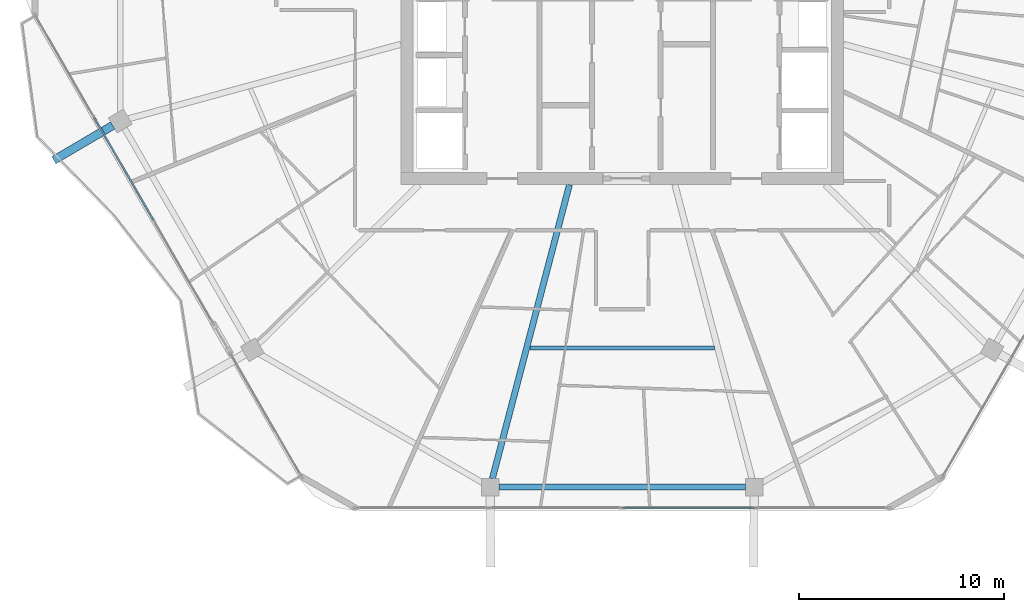
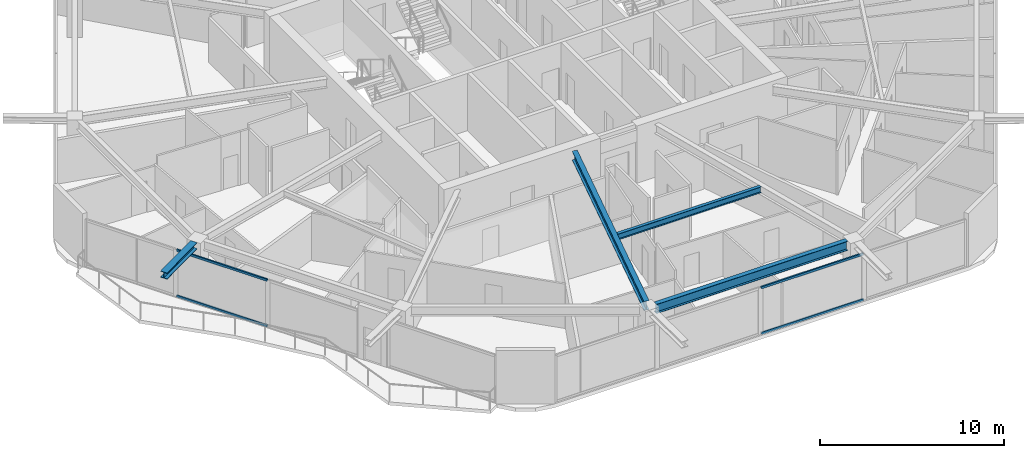
# One storey, part 4 of 26: 4 beams, 4 members, 2 elements without a shape of their own.
"""IFC4 building model written with IfcOpenShell, lengths in metres."""

import ifcopenshell
import ifcopenshell.guid

model = None  # the IFC model being written
_history = None  # IfcOwnerHistory: only IFC2X3 demands one
_inside = {}  # id of a spatial element -> (the spatial element, [elements in it])
_under = {}  # id of a project, library or spatial element -> (it, [spatial elements below it])
_declared = {}  # id of a project -> (the project, [libraries it declares])
_typed = {}  # id of a type object -> (the type object, [elements of that type])
_made_of = {}  # id of a material, layer set ... -> (it, [elements and type objects made of it])


def new_model(schema):
    """Start an empty IFC model of exactly this schema.

    Asked for "IFC4X3", IfcOpenShell would pick the latest addendum, in which some entities
    have other attributes; the version numbers below select the first issue.
    IFC2X3 requires an IfcOwnerHistory on every rooted entity: one is made here for all.
    """
    global model, _history
    if schema == "IFC4X3":
        model = ifcopenshell.file(schema_version=(4, 3, 0, 0))
    else:
        model = ifcopenshell.file(schema=schema)
    _inside.clear()
    _under.clear()
    _declared.clear()
    _typed.clear()
    _made_of.clear()
    _history = None
    if model.schema == "IFC2X3":
        org = make("IfcOrganization", Name="unknown")
        user = make(
            "IfcPersonAndOrganization",
            ThePerson=make("IfcPerson", FamilyName="unknown"),
            TheOrganization=org,
        )
        app = make(
            "IfcApplication",
            ApplicationDeveloper=org,
            Version="unknown",
            ApplicationFullName="unknown",
            ApplicationIdentifier="unknown",
        )
        _history = make(
            "IfcOwnerHistory",
            OwningUser=user,
            OwningApplication=app,
            ChangeAction="ADDED",
            CreationDate=0,
        )
    return model


def make(cls, **values):
    """One entity of the class cls with the attributes given. An attribute that is None is left unset."""
    return model.create_entity(
        cls, **{name: value for name, value in values.items() if value is not None}
    )


def rooted(cls, **values):
    """An entity with a GlobalId (a new one), such as an element, a storey or a relation."""
    return make(cls, GlobalId=ifcopenshell.guid.new(), OwnerHistory=_history, **values)


def si_unit(unit_type, name, prefix=None):
    """IfcSIUnit, for example si_unit("LENGTHUNIT", "METRE", prefix="MILLI")."""
    return make("IfcSIUnit", UnitType=unit_type, Prefix=prefix, Name=name)


def assignment(units):
    """IfcUnitAssignment: the units of a project."""
    return None if units is None else make("IfcUnitAssignment", Units=units)


def point(xyz):
    """IfcCartesianPoint."""
    return None if xyz is None else make("IfcCartesianPoint", Coordinates=xyz)


def direction(xyz):
    """IfcDirection."""
    return None if xyz is None else make("IfcDirection", DirectionRatios=xyz)


def frame(location, z_axis=None, x_axis=None):
    """IfcAxis2Placement3D, a coordinate frame: its origin and axes. An axis left out is left unset."""
    return make(
        "IfcAxis2Placement3D",
        Location=point(location),
        Axis=direction(z_axis),
        RefDirection=direction(x_axis),
    )


def frame_2d(location, x_axis=None):
    """IfcAxis2Placement2D, a coordinate frame in the plane: its origin and x axis."""
    return make(
        "IfcAxis2Placement2D", Location=point(location), RefDirection=direction(x_axis)
    )


def origin():
    """The frame at (0, 0, 0) with its axes left unset."""
    return frame((0.0, 0.0, 0.0))


def origin_2d():
    """The frame at (0, 0) in the plane with its x axis left unset."""
    return frame_2d((0.0, 0.0))


def place(relative_to, where):
    """IfcLocalPlacement: puts the frame where relative to a parent placement (None: the world)."""
    return make(
        "IfcLocalPlacement", PlacementRelTo=relative_to, RelativePlacement=where
    )


def context(
    kind, dimensions, precision=None, world=None, true_north=None, identifier=None
):
    """IfcGeometricRepresentationContext, for example the 3D "Model" context."""
    return make(
        "IfcGeometricRepresentationContext",
        ContextIdentifier=identifier,
        ContextType=kind,
        CoordinateSpaceDimension=dimensions,
        Precision=precision,
        WorldCoordinateSystem=world,
        TrueNorth=true_north,
    )


def subcontext(parent, identifier, kind, view, scale=None):
    """IfcGeometricRepresentationSubContext, for example "Body" below "Model"."""
    return make(
        "IfcGeometricRepresentationSubContext",
        ContextIdentifier=identifier,
        ContextType=kind,
        ParentContext=parent,
        TargetScale=scale,
        TargetView=view,
    )


def project(units=None, contexts=None):
    """IfcProject with its units and contexts."""
    return rooted(
        "IfcProject",
        Name="project",
        RepresentationContexts=contexts,
        UnitsInContext=assignment(units),
    )


def spatial(cls, under=None, at=None, **own):
    """A site, building, storey or space (cls), placed at a placement, below another one or the project."""
    s = rooted(cls, ObjectPlacement=at, **own)
    if under is not None:
        _under.setdefault(under.id(), (under, []))[1].append(s)
    return s


def profile(cls, at=None, kind="AREA", **sizes):
    """A parametric profile (cls). Its sizes go by their IFC names, for example OverallWidth=200.0."""
    return make(cls, ProfileType=kind, Position=at, **sizes)


def hollow_rectangle(**sizes):
    """IfcRectangleHollowProfileDef."""
    return profile("IfcRectangleHollowProfileDef", **sizes)


def i_section(**sizes):
    """IfcIShapeProfileDef."""
    return profile("IfcIShapeProfileDef", **sizes)


def extrude(swept, where, along, depth):
    """IfcExtrudedAreaSolid: the profile swept, set in the frame where, extruded along a direction by depth."""
    return make(
        "IfcExtrudedAreaSolid",
        SweptArea=swept,
        Position=where,
        ExtrudedDirection=direction(along),
        Depth=depth,
    )


def shape(context_of_items, identifier, shape_type, items):
    """IfcShapeRepresentation: the items that make up one representation, for example the "Body"."""
    return make(
        "IfcShapeRepresentation",
        ContextOfItems=context_of_items,
        RepresentationIdentifier=identifier,
        RepresentationType=shape_type,
        Items=items,
    )


def material(Name=None, Category=None):
    """IfcMaterial."""
    return make("IfcMaterial", Name=Name, Category=Category)


def material_profile(
    of_material, cross_section, Name=None, Category=None, Priority=None
):
    """IfcMaterialProfile: a cross section and its material."""
    return make(
        "IfcMaterialProfile",
        Name=Name,
        Material=of_material,
        Profile=cross_section,
        Priority=Priority,
        Category=Category,
    )


def profile_set(profiles, Name=None, composite=None):
    """IfcMaterialProfileSet."""
    return make(
        "IfcMaterialProfileSet",
        Name=Name,
        MaterialProfiles=profiles,
        CompositeProfile=composite,
    )


def made_of(thing, what):
    """Note that an element or type object is made of a material, layer set ...; save() writes the relation."""
    if what is not None:
        _made_of.setdefault(what.id(), (what, []))[1].append(thing)
    return thing


def type_object(cls, material=None, **own):
    """A type object (cls), such as IfcWallType, which elements share."""
    return made_of(rooted(cls, **own), material)


def element(
    cls,
    number,
    at=None,
    inside=None,
    cuts=None,
    type_object=None,
    material=None,
    context=None,
    identifier="Body",
    shape_type=None,
    held_by="IfcProductDefinitionShape",
    body=None,
    shapes=None,
    **own,
):
    """One element of the class cls, such as IfcWall. Its Tag is "e" and its number.

    at: its placement. inside: the storey or other place that contains it. cuts: it is an
    opening in that element (IfcRelVoidsElement). A single representation is given by context,
    identifier, shape_type and body (its items); several are given by shapes. held_by: the class
    of the entity that holds the representations. save() writes the other relations.
    """
    e = rooted(cls, Tag="e%d" % number, ObjectPlacement=at, **own)
    if body is not None:
        shapes = [shape(context, identifier, shape_type, body)]
    if shapes is not None:
        e.Representation = make(held_by, Representations=shapes)
    if inside is not None:
        _inside.setdefault(inside.id(), (inside, []))[1].append(e)
    if cuts is not None:
        rooted(
            "IfcRelVoidsElement", RelatingBuildingElement=cuts, RelatedOpeningElement=e
        )
    if type_object is not None:
        _typed.setdefault(type_object.id(), (type_object, []))[1].append(e)
    return made_of(e, material)


def aggregate(whole, parts):
    """IfcRelAggregates: a whole, such as a stair, and the parts it consists of."""
    return rooted("IfcRelAggregates", RelatingObject=whole, RelatedObjects=parts)


def save(model, path):
    """Write the relations noted so far, then the file.

    IfcRelAggregates (storeys below a building ...), IfcRelContainedInSpatialStructure (elements
    in a storey), IfcRelDefinesByType, IfcRelAssociatesMaterial and IfcRelDeclares: one each for
    every whole, place, type object, material and project.
    """
    for whole, parts in _under.values():
        aggregate(whole, parts)
    for where, things in _inside.values():
        rooted(
            "IfcRelContainedInSpatialStructure",
            RelatedElements=things,
            RelatingStructure=where,
        )
    for kind, things in _typed.values():
        rooted("IfcRelDefinesByType", RelatedObjects=things, RelatingType=kind)
    for what, things in _made_of.values():
        rooted("IfcRelAssociatesMaterial", RelatedObjects=things, RelatingMaterial=what)
    for by, libraries in _declared.values():
        rooted("IfcRelDeclares", RelatingContext=by, RelatedDefinitions=libraries)
    model.write(path)


model = new_model("IFC4")

# Units and contexts
model_context = context("Model", 3, precision=1e-05, world=origin(), true_north=direction((0.0, 1.0)))
body_context = subcontext(model_context, "Body", "Model", "MODEL_VIEW")
ifc_project = project(units=[si_unit("LENGTHUNIT", "METRE"), si_unit("AREAUNIT", "SQUARE_METRE"), si_unit("VOLUMEUNIT", "CUBIC_METRE"), si_unit("PLANEANGLEUNIT", "RADIAN"), si_unit("MASSUNIT", "GRAM", prefix="KILO")], contexts=[model_context])

# Site, building, storey
site_placement = place(None, origin())
site = spatial("IfcSite", under=ifc_project, at=site_placement, CompositionType="ELEMENT")
building_placement = place(site_placement, origin())
building = spatial("IfcBuilding", under=site, at=building_placement, Name="Zuhravey Tower", CompositionType="ELEMENT")
storey_placement = place(building_placement, frame((0.0, 0.0, 295.800048828125)))
storey = spatial("IfcBuildingStorey", under=building, at=storey_placement, Name="L75", CompositionType="ELEMENT", Elevation=295.800048828125)

# Curtain wall, members
ifc_material_1 = material(Name="Thermally broken anodised aluminium", Category="aluminium")
curtain_wall_type = type_object("IfcCurtainWallType", Name="Zone 3-4 High-Rise Curtain Wall CW4", PredefinedType="NOTDEFINED", material=ifc_material_1)
curtain_wall_1_placement = place(storey_placement, origin())
curtain_wall_1 = element("IfcCurtainWall", 1, at=curtain_wall_1_placement, inside=storey, type_object=curtain_wall_type, Name="L75 CW4 CW-L75-F5-1", PredefinedType="NOTDEFINED")
ifc_material_2 = material(Name="Anodised aluminium", Category="aluminium")
ifc_material_profile_1 = material_profile(ifc_material_2, hollow_rectangle(XDim=0.090087890625, YDim=0.14990234375, WallThickness=0.0048828125, at=origin_2d()), Name="ALU-RHS-90x150x5")
ifc_profile_set_1 = profile_set([ifc_material_profile_1], Name="Anodised aluminium")
member_type = type_object("IfcMemberType", Name="Curtain-Wall Transom 90x150", PredefinedType="USERDEFINED", material=ifc_profile_set_1)
member_1_placement = place(storey_placement, frame((42.46142578125, 6.436279296875, 0.044921875), z_axis=(-1.0, 0.0, 0.0), x_axis=(0.0, -1.0, 0.0)))
member_1 = element("IfcMember", 2, at=member_1_placement, type_object=member_type, Name="CW4 transom 2.1", ObjectType="TRANSOM", PredefinedType="USERDEFINED", context=body_context, shape_type="SweptSolid", body=[
    extrude(hollow_rectangle(XDim=0.090087890625, YDim=0.14990234375, WallThickness=0.0048828125, at=origin_2d()), origin(), (0.0, 0.0, 1.0), 6.41650390625),
])
member_2_placement = place(storey_placement, frame((42.46142578125, 6.436279296875, 3.076904296875), z_axis=(-1.0, 0.0, 0.0), x_axis=(0.0, -1.0, 0.0)))
member_2 = element("IfcMember", 3, at=member_2_placement, type_object=member_type, Name="CW4 transom 2.2", ObjectType="TRANSOM", PredefinedType="USERDEFINED", context=body_context, shape_type="SweptSolid", body=[
    extrude(hollow_rectangle(XDim=0.090087890625, YDim=0.14990234375, WallThickness=0.0048828125, at=origin_2d()), origin(), (0.0, 0.0, 1.0), 6.41650390625),
])
aggregate(curtain_wall_1, [member_1, member_2])

curtain_wall_2_placement = place(storey_placement, origin())
curtain_wall_2 = element("IfcCurtainWall", 4, at=curtain_wall_2_placement, inside=storey, type_object=curtain_wall_type, Name="L75 CW4 CW-L75-F4-2", PredefinedType="NOTDEFINED")
member_3_placement = place(storey_placement, frame((13.122802734375, 20.4970703125, 0.044921875), z_axis=(-0.49998073366, 0.866036526926, 0.0), x_axis=(-0.866036526926, -0.49998073366, 0.0)))
member_3 = element("IfcMember", 5, at=member_3_placement, type_object=member_type, Name="CW4 transom 2.1", ObjectType="TRANSOM", PredefinedType="USERDEFINED", context=body_context, shape_type="SweptSolid", body=[
    extrude(hollow_rectangle(XDim=0.090087890625, YDim=0.14990234375, WallThickness=0.0048828125, at=origin_2d()), origin(), (0.0, 0.0, 1.0), 5.700439453125),
])
member_4_placement = place(storey_placement, frame((13.122802734375, 20.4970703125, 3.076904296875), z_axis=(-0.49998073366, 0.866036526926, 0.0), x_axis=(-0.866036526926, -0.49998073366, 0.0)))
member_4 = element("IfcMember", 6, at=member_4_placement, type_object=member_type, Name="CW4 transom 2.2", ObjectType="TRANSOM", PredefinedType="USERDEFINED", context=body_context, shape_type="SweptSolid", body=[
    extrude(hollow_rectangle(XDim=0.090087890625, YDim=0.14990234375, WallThickness=0.0048828125, at=origin_2d()), origin(), (0.0, 0.0, 1.0), 5.700439453125),
])
aggregate(curtain_wall_2, [member_3, member_4])

# Beams
ifc_material_3 = material(Name="Steel SM460", Category="steel")
ifc_material_profile_2 = material_profile(ifc_material_3, i_section(OverallWidth=0.406982421875, OverallDepth=0.427978515625, WebThickness=0.02001953125, FlangeThickness=0.034912109375, at=origin_2d()), Name="H-428x407x20x35")
ifc_profile_set_2 = profile_set([ifc_material_profile_2], Name="Steel SM460")
beam_type_1 = type_object("IfcBeamType", Name="Exoskeleton Node Tie Beam H428x407", PredefinedType="BEAM", material=ifc_profile_set_2)
beam_1_placement = place(storey_placement, frame((11.145751953125, 25.083251953125, 3.3359375), z_axis=(-0.861603813427, -0.507581391195, 0.0), x_axis=(0.507581391195, -0.861603813427, 0.0)))
element("IfcBeam", 7, at=beam_1_placement, inside=storey, type_object=beam_type_1, Name="L75 Exoskeleton Node Tie NT1-07", PredefinedType="BEAM", context=body_context, shape_type="SweptSolid", body=[
    extrude(i_section(OverallWidth=0.406982421875, OverallDepth=0.427978515625, WebThickness=0.02001953125, FlangeThickness=0.034912109375, at=origin_2d()), origin(), (0.0, 0.0, 1.0), 3.325927734375),
])
ifc_material_4 = material(Name="Steel SM355", Category="steel")
ifc_material_profile_3 = material_profile(ifc_material_4, i_section(OverallWidth=0.280029296875, OverallDepth=0.6201171875, WebThickness=0.011962890625, FlangeThickness=0.02001953125, at=origin_2d()), Name="H-620x280x12x20")
ifc_profile_set_3 = profile_set([ifc_material_profile_3], Name="Steel SM355")
beam_type_2 = type_object("IfcBeamType", Name="Perimeter Ring Beam H620x280", PredefinedType="BEAM", material=ifc_profile_set_3)
beam_2_placement = place(storey_placement, frame((29.987060546875, 7.4462890625, 3.239990234375), z_axis=(1.0, 0.0, 0.0), x_axis=(0.0, 1.0, 0.0)))
element("IfcBeam", 8, at=beam_2_placement, inside=storey, type_object=beam_type_2, Name="L75 PB3 BM-L75-PB-09", PredefinedType="BEAM", context=body_context, shape_type="SweptSolid", body=[
    extrude(i_section(OverallWidth=0.280029296875, OverallDepth=0.6201171875, WebThickness=0.011962890625, FlangeThickness=0.02001953125, at=origin_2d()), origin(), (0.0, 0.0, 1.0), 12.02587890625),
])
ifc_material_profile_4 = material_profile(ifc_material_4, i_section(OverallWidth=0.300048828125, OverallDepth=0.60009765625, WebThickness=0.011962890625, FlangeThickness=0.02001953125, at=origin_2d()), Name="H-600x300x12x20")
ifc_profile_set_4 = profile_set([ifc_material_profile_4], Name="Steel SM355")
beam_type_3 = type_object("IfcBeamType", Name="Radial Primary Girder H600x300", PredefinedType="BEAM", material=ifc_profile_set_4)
beam_3_placement = place(storey_placement, frame((33.428466796875, 22.197021484375, 3.25), z_axis=(-0.25373188956, -0.967274587809, 0.0), x_axis=(0.967274587809, -0.25373188956, 0.0)))
element("IfcBeam", 9, at=beam_3_placement, inside=storey, type_object=beam_type_3, Name="L75 RG3 BM-L75-RAD-09", PredefinedType="BEAM", context=body_context, shape_type="SweptSolid", body=[
    extrude(i_section(OverallWidth=0.300048828125, OverallDepth=0.60009765625, WebThickness=0.011962890625, FlangeThickness=0.02001953125, at=origin_2d()), origin(), (0.0, 0.0, 1.0), 14.82177734375),
])
ifc_material_profile_5 = material_profile(ifc_material_4, i_section(OverallWidth=0.199951171875, OverallDepth=0.39990234375, WebThickness=0.008056640625, FlangeThickness=0.012939453125, at=origin_2d()), Name="H-400x200x8x13")
ifc_profile_set_5 = profile_set([ifc_material_profile_5], Name="Steel SM355")
beam_type_4 = type_object("IfcBeamType", Name="Secondary Floor Joist H400x200", PredefinedType="JOIST", material=ifc_profile_set_5)
beam_4_placement = place(storey_placement, frame((31.492919921875, 14.231689453125, 3.349853515625), z_axis=(1.0, 0.0, 0.0), x_axis=(0.0, 1.0, 0.0)))
element("IfcBeam", 10, at=beam_4_placement, inside=storey, type_object=beam_type_4, Name="L75 SJ2 BM-L75-SJ-09-1", PredefinedType="JOIST", context=body_context, shape_type="SweptSolid", body=[
    extrude(i_section(OverallWidth=0.199951171875, OverallDepth=0.39990234375, WebThickness=0.008056640625, FlangeThickness=0.012939453125, at=origin_2d()), origin(), (0.0, 0.0, 1.0), 9.01416015625),
])

save(model, "model.ifc")
